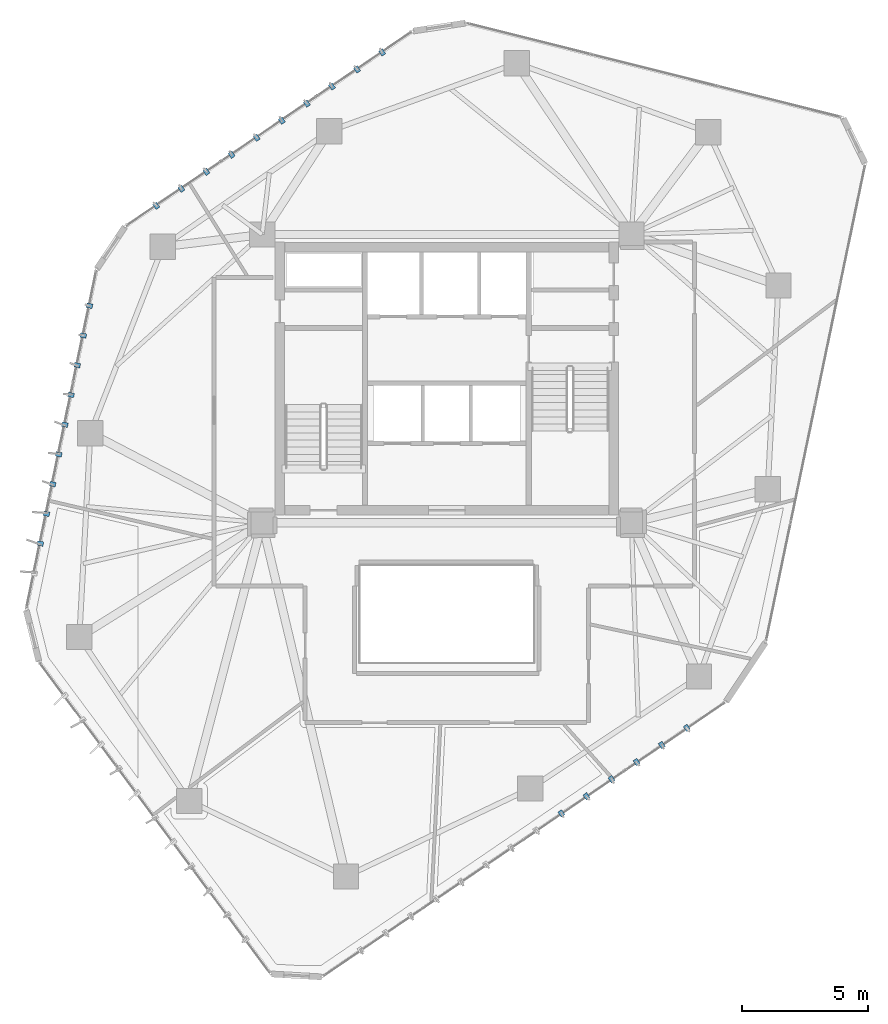
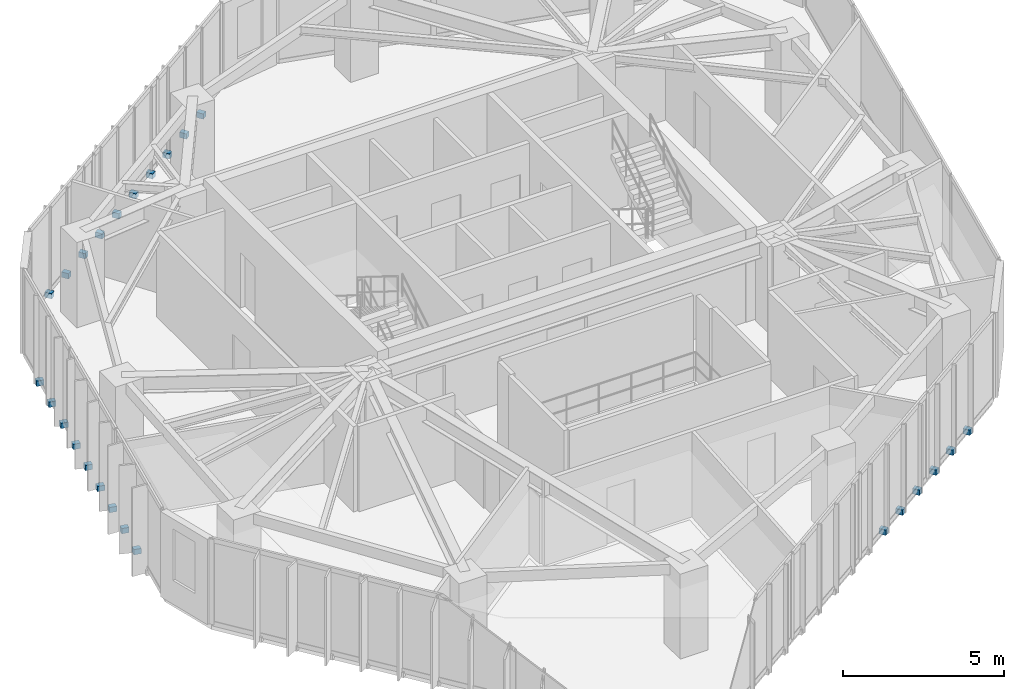
# One storey, part 18 of 20: 25 discrete accessories.
"""IFC4 building model written with IfcOpenShell, lengths in metres."""

from ifc_helpers import new_model, si_unit, direction, frame, origin, origin_2d, place, context, subcontext, project, spatial, rectangle, extrude, source, transform, mapped, material, type_object, type_shapes, element, save


model = new_model("IFC4")

# Units and contexts
model_context = context("Model", 3, precision=1e-05, world=origin(), true_north=direction((0.0, 1.0)))
body_context = subcontext(model_context, "Body", "Model", "MODEL_VIEW")
ifc_project = project(units=[si_unit("LENGTHUNIT", "METRE"), si_unit("AREAUNIT", "SQUARE_METRE"), si_unit("VOLUMEUNIT", "CUBIC_METRE"), si_unit("PLANEANGLEUNIT", "RADIAN"), si_unit("MASSUNIT", "GRAM", prefix="KILO")], contexts=[model_context])

# Site, building, storey
site_placement = place(None, origin())
site = spatial("IfcSite", under=ifc_project, at=site_placement, CompositionType="ELEMENT")
building_placement = place(site_placement, origin())
building = spatial("IfcBuilding", under=site, at=building_placement, Name="Talar Marvaseh", CompositionType="ELEMENT")
storey_placement = place(building_placement, frame((0.0, 0.0, 191.5)))
storey = spatial("IfcBuildingStorey", under=building, at=storey_placement, Name="L50", CompositionType="ELEMENT", Elevation=191.5)

# Discrete accessories
ifc_material = material(Name="Stainless Steel Grade 316", Category="steel")
discrete_accessory_type = type_object("IfcDiscreteAccessoryType", Name="Stainless Slab-Edge Fin Mounting Bracket", PredefinedType="BRACKET", material=ifc_material)
shared_shape = source(origin(), body_context, "Body", "SweptSolid", [
    extrude(rectangle(XDim=0.239990234375, YDim=0.179931640625, at=origin_2d()), origin(), (0.0, 0.0, 1.0), 0.199951171875),
])
type_shapes(discrete_accessory_type, [shared_shape])
for number, where, z_axis, x_axis, name in (
    (1, (9.930908203125, 24.6806640625, -0.18017578125), (0.0, 0.0, 1.0), (-0.979293537082, 0.202445469766, 0.0), "L50 Vertical Fin Slab-Edge Bracket"),
    (2, (10.173828125, 25.855712890625, -0.18017578125), (0.0, 0.0, 1.0), (-0.979293537082, 0.202445469766, 0.0), "L50 Vertical Fin Slab-Edge Bracket"),
    (3, (10.416748046875, 27.031005859375, -0.18017578125), (0.0, 0.0, 1.0), (-0.979293537082, 0.202445469766, 0.0), "L50 Vertical Fin Slab-Edge Bracket"),
    (4, (10.65966796875, 28.2060546875, -0.18017578125), (0.0, 0.0, 1.0), (-0.979293537082, 0.202445469766, 0.0), "L50 Vertical Fin Slab-Edge Bracket"),
    (5, (10.902587890625, 29.381103515625, -0.18017578125), (0.0, 0.0, 1.0), (-0.979293537082, 0.202445469766, 0.0), "L50 Vertical Fin Slab-Edge Bracket"),
    (6, (11.145751953125, 30.556396484375, -0.18017578125), (0.0, 0.0, 1.0), (-0.979293537082, 0.202445469766, 0.0), "L50 Vertical Fin Slab-Edge Bracket"),
    (7, (11.388671875, 31.7314453125, -0.18017578125), (0.0, 0.0, 1.0), (-0.979293537082, 0.202445469766, 0.0), "L50 Vertical Fin Slab-Edge Bracket"),
    (8, (11.631591796875, 32.90673828125, -0.18017578125), (0.0, 0.0, 1.0), (-0.979293537082, 0.202445469766, 0.0), "L50 Vertical Fin Slab-Edge Bracket"),
    (9, (11.87451171875, 34.081787109375, -0.18017578125), (0.0, 0.0, 1.0), (-0.979293537082, 0.202445469766, 0.0), "L50 Vertical Fin Slab-Edge Bracket"),
    (10, (14.513671875, 38.031494140625, -0.18017578125), (0.0, 0.0, 1.0), (-0.56179463803, 0.827276727994, 0.0), "L50 Vertical Fin Slab-Edge Bracket"),
    (11, (15.50634765625, 38.70556640625, -0.18017578125), (0.0, 0.0, 1.0), (-0.56179463803, 0.827276727994, 0.0), "L50 Vertical Fin Slab-Edge Bracket"),
    (12, (16.4990234375, 39.3798828125, -0.18017578125), (0.0, 0.0, 1.0), (-0.56179463803, 0.827276727994, 0.0), "L50 Vertical Fin Slab-Edge Bracket"),
    (13, (17.49169921875, 40.053955078125, -0.18017578125), (0.0, 0.0, 1.0), (-0.56179463803, 0.827276727994, 0.0), "L50 Vertical Fin Slab-Edge Bracket"),
    (14, (18.484619140625, 40.72802734375, -0.18017578125), (0.0, 0.0, 1.0), (-0.56179463803, 0.827276727994, 0.0), "L50 Vertical Fin Slab-Edge Bracket"),
    (15, (19.477294921875, 41.40234375, -0.18017578125), (0.0, 0.0, 1.0), (-0.56179463803, 0.827276727994, 0.0), "L50 Vertical Fin Slab-Edge Bracket"),
    (16, (20.469970703125, 42.076416015625, -0.18017578125), (0.0, 0.0, 1.0), (-0.56179463803, 0.827276727994, 0.0), "L50 Vertical Fin Slab-Edge Bracket"),
    (17, (21.462646484375, 42.750732421875, -0.18017578125), (0.0, 0.0, 1.0), (-0.56179463803, 0.827276727994, 0.0), "L50 Vertical Fin Slab-Edge Bracket"),
    (18, (22.455322265625, 43.4248046875, -0.18017578125), (0.0, 0.0, 1.0), (-0.56179463803, 0.827276727994, 0.0), "L50 Vertical Fin Slab-Edge Bracket"),
    (19, (23.447998046875, 44.09912109375, -0.18017578125), (0.0, 0.0, 1.0), (-0.56179463803, 0.827276727994, 0.0), "L50 Vertical Fin Slab-Edge Bracket"),
    (20, (35.490234375, 17.391357421875, -0.18017578125), (0.0, 0.0, 1.0), (0.562949186249, -0.826491508548, 0.0), "L50 Vertical Fin Slab-Edge Bracket"),
    (21, (34.49853515625, 16.7158203125, -0.18017578125), (0.0, 0.0, 1.0), (0.562949186249, -0.826491508548, 0.0), "L50 Vertical Fin Slab-Edge Bracket"),
    (22, (33.506591796875, 16.040283203125, -0.18017578125), (0.0, 0.0, 1.0), (0.562949186249, -0.826491508548, 0.0), "L50 Vertical Fin Slab-Edge Bracket"),
    (23, (32.514892578125, 15.36474609375, -0.18017578125), (0.0, 0.0, 1.0), (0.562949186249, -0.826491508548, 0.0), "L50 Vertical Fin Slab-Edge Bracket"),
    (24, (31.523193359375, 14.689208984375, -0.18017578125), (0.0, 0.0, 1.0), (0.562949186249, -0.826491508548, 0.0), "L50 Vertical Fin Slab-Edge Bracket"),
    (25, (30.53125, 14.013916015625, -0.18017578125), (0.0, 0.0, 1.0), (0.562949186249, -0.826491508548, 0.0), "L50 Vertical Fin Slab-Edge Bracket"),
):
    element("IfcDiscreteAccessory", number, at=place(storey_placement, frame(where, z_axis=z_axis, x_axis=x_axis)), inside=storey, type_object=discrete_accessory_type, Name=name, PredefinedType="BRACKET", context=body_context, shape_type="MappedRepresentation", body=[
        mapped(shared_shape, transform((0.0, 0.0, 0.0), x_axis=(1.0, 0.0, 0.0), y_axis=(0.0, 1.0, 0.0), z_axis=(0.0, 0.0, 1.0), scale=1.0)),
    ])

save(model, "model.ifc")
